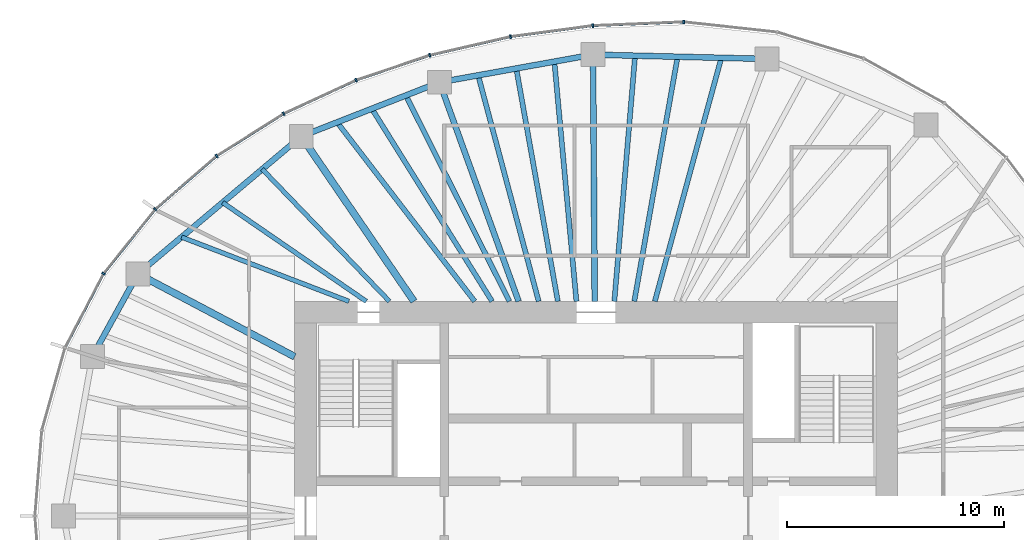
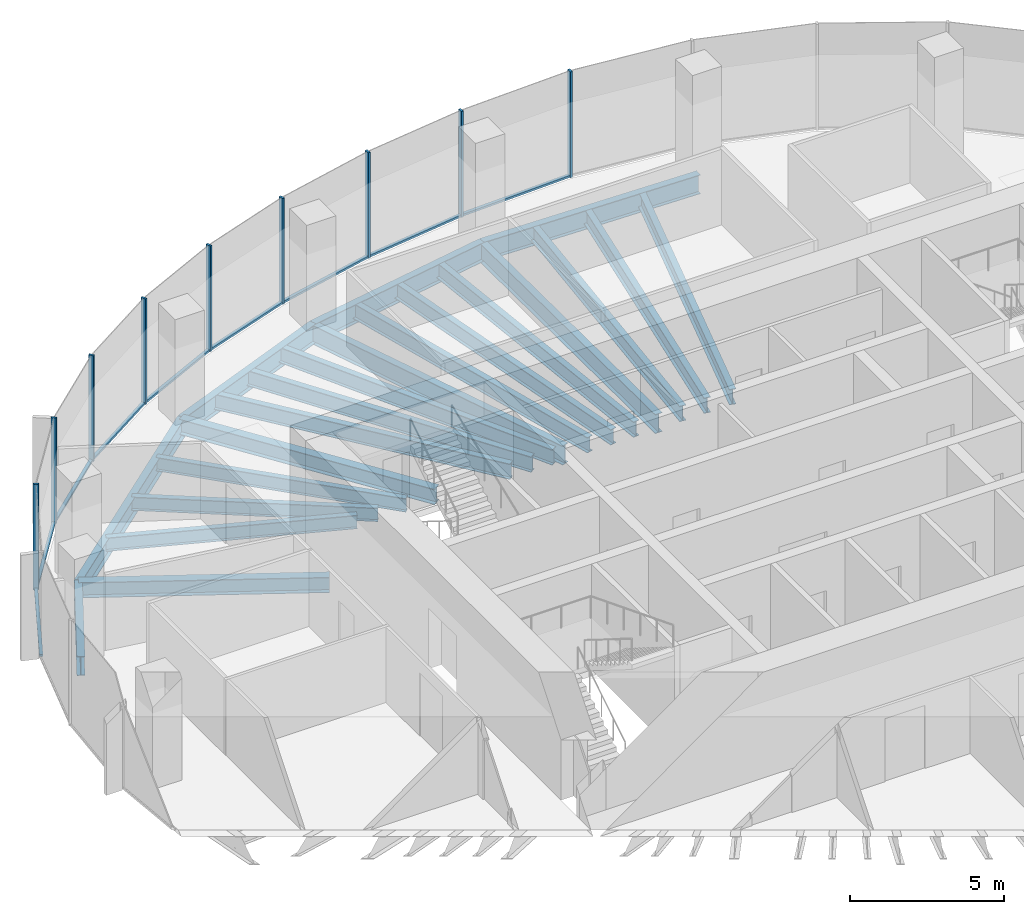
# One storey, part 5 of 11: 21 beams, 18 members, 5 elements without a shape of their own.
"""IFC4 building model written with IfcOpenShell, lengths in metres."""

from ifc_helpers import new_model, si_unit, direction, frame, origin, origin_2d, place, context, subcontext, project, spatial, rectangle, i_section, extrude, material, material_profile, profile_set, type_object, element, aggregate, save


model = new_model("IFC4")

# Units and contexts
model_context = context("Model", 3, precision=1e-05, world=origin(), true_north=direction((0.0, 1.0)))
body_context = subcontext(model_context, "Body", "Model", "MODEL_VIEW")
ifc_project = project(units=[si_unit("LENGTHUNIT", "METRE"), si_unit("AREAUNIT", "SQUARE_METRE"), si_unit("VOLUMEUNIT", "CUBIC_METRE"), si_unit("PLANEANGLEUNIT", "RADIAN"), si_unit("MASSUNIT", "GRAM", prefix="KILO")], contexts=[model_context])

# Site, building, storey
site_placement = place(None, origin())
site = spatial("IfcSite", under=ifc_project, at=site_placement, CompositionType="ELEMENT")
building_placement = place(site_placement, origin())
building = spatial("IfcBuilding", under=site, at=building_placement, Name="Ghaith Harvest Tower", CompositionType="ELEMENT")
storey_placement = place(building_placement, frame((0.0, 0.0, 292.199951171875)))
storey = spatial("IfcBuildingStorey", under=building, at=storey_placement, Name="L65", CompositionType="ELEMENT", Elevation=292.199951171875)

# Curtain wall, member
ifc_material_1 = material(Name="Black anodised aluminium and fritted glass", Category="aluminium")
curtain_wall_type = type_object("IfcCurtainWallType", Name="CW-T CURTAIN WALL", PredefinedType="NOTDEFINED", material=ifc_material_1)
curtain_wall_1_placement = place(storey_placement, origin())
curtain_wall_1 = element("IfcCurtainWall", 1, at=curtain_wall_1_placement, inside=storey, type_object=curtain_wall_type, Name="Curtain wall CW-T bay 05 L65", PredefinedType="NOTDEFINED")
ifc_material_2 = material(Name="Aluminium, black anodised", Category="aluminium")
ifc_material_profile_1 = material_profile(ifc_material_2, rectangle(XDim=0.080078125, YDim=0.179931640625, at=origin_2d()), Name="CW-T MULLION 80x180")
ifc_profile_set_1 = profile_set([ifc_material_profile_1], Name="Aluminium, black anodised")
member_type_1 = type_object("IfcMemberType", Name="CW-T MULLION 80x180", PredefinedType="MULLION", material=ifc_profile_set_1)
member_1_placement = place(storey_placement, frame((4.037841796875, 22.776611328125, 0.0), z_axis=(0.0, 0.0, 1.0), x_axis=(-0.999388631236, 0.034962319079, 0.0)))
member_1 = element("IfcMember", 2, at=member_1_placement, type_object=member_type_1, Name="CW-T mullion 2 bay 05 L65", PredefinedType="MULLION", context=body_context, shape_type="SweptSolid", body=[
    extrude(rectangle(XDim=0.080078125, YDim=0.179931640625, at=origin_2d()), origin(), (0.0, 0.0, 1.0), 4.199951171875),
])

# Curtain wall, members
curtain_wall_2_placement = place(storey_placement, origin())
curtain_wall_2 = element("IfcCurtainWall", 3, at=curtain_wall_2_placement, inside=storey, type_object=curtain_wall_type, Name="Curtain wall CW-T bay 06 L65", PredefinedType="NOTDEFINED")
member_2_placement = place(storey_placement, frame((-0.15478515625, 22.60595703125, 0.0), z_axis=(0.0, 0.0, 1.0), x_axis=(-0.996414855482, -0.084601629853, 0.0)))
member_2 = element("IfcMember", 4, at=member_2_placement, type_object=member_type_1, Name="CW-T mullion 1 bay 06 L65", PredefinedType="MULLION", context=body_context, shape_type="SweptSolid", body=[
    extrude(rectangle(XDim=0.080078125, YDim=0.179931640625, at=origin_2d()), origin(), (0.0, 0.0, 1.0), 4.199951171875),
])
member_3_placement = place(storey_placement, frame((-3.946533203125, 22.0986328125, 0.0), z_axis=(0.0, 0.0, 1.0), x_axis=(-0.983843447681, -0.179030920389, 0.0)))
member_3 = element("IfcMember", 5, at=member_3_placement, type_object=member_type_1, Name="CW-T mullion 2 bay 06 L65", PredefinedType="MULLION", context=body_context, shape_type="SweptSolid", body=[
    extrude(rectangle(XDim=0.080078125, YDim=0.179931640625, at=origin_2d()), origin(), (0.0, 0.0, 1.0), 4.199951171875),
])

curtain_wall_3_placement = place(storey_placement, origin())
curtain_wall_3 = element("IfcCurtainWall", 6, at=curtain_wall_3_placement, inside=storey, type_object=curtain_wall_type, Name="Curtain wall CW-T bay 07 L65", PredefinedType="NOTDEFINED")
member_4_placement = place(storey_placement, frame((-7.6708984375, 21.23828125, 0.0), z_axis=(0.0, 0.0, 1.0), x_axis=(-0.962552491436, -0.27109537294, 0.0)))
member_4 = element("IfcMember", 7, at=member_4_placement, type_object=member_type_1, Name="CW-T mullion 1 bay 07 L65", PredefinedType="MULLION", context=body_context, shape_type="SweptSolid", body=[
    extrude(rectangle(XDim=0.080078125, YDim=0.179931640625, at=origin_2d()), origin(), (0.0, 0.0, 1.0), 4.199951171875),
])
member_5_placement = place(storey_placement, frame((-11.0673828125, 20.093017578125, 0.0), z_axis=(0.0, 0.0, 1.0), x_axis=(-0.928624420706, -0.371021138573, 0.0)))
member_5 = element("IfcMember", 8, at=member_5_placement, type_object=member_type_1, Name="CW-T mullion 2 bay 07 L65", PredefinedType="MULLION", context=body_context, shape_type="SweptSolid", body=[
    extrude(rectangle(XDim=0.080078125, YDim=0.179931640625, at=origin_2d()), origin(), (0.0, 0.0, 1.0), 4.199951171875),
])

curtain_wall_4_placement = place(storey_placement, origin())
curtain_wall_4 = element("IfcCurtainWall", 9, at=curtain_wall_4_placement, inside=storey, type_object=curtain_wall_type, Name="Curtain wall CW-T bay 08 L65", PredefinedType="NOTDEFINED")
member_6_placement = place(storey_placement, frame((-14.40478515625, 18.5478515625, 0.0), z_axis=(0.0, 0.0, 1.0), x_axis=(-0.87867173244, -0.477426420101, 0.0)))
member_6 = element("IfcMember", 10, at=member_6_placement, type_object=member_type_1, Name="CW-T mullion 1 bay 08 L65", PredefinedType="MULLION", context=body_context, shape_type="SweptSolid", body=[
    extrude(rectangle(XDim=0.080078125, YDim=0.179931640625, at=origin_2d()), origin(), (0.0, 0.0, 1.0), 4.199951171875),
])
member_7_placement = place(storey_placement, frame((-17.49462890625, 16.600830078125, 0.0), z_axis=(0.0, 0.0, 1.0), x_axis=(-0.802189888678, -0.597068993084, 0.0)))
member_7 = element("IfcMember", 11, at=member_7_placement, type_object=member_type_1, Name="CW-T mullion 2 bay 08 L65", PredefinedType="MULLION", context=body_context, shape_type="SweptSolid", body=[
    extrude(rectangle(XDim=0.080078125, YDim=0.179931640625, at=origin_2d()), origin(), (0.0, 0.0, 1.0), 4.199951171875),
])

curtain_wall_5_placement = place(storey_placement, origin())
curtain_wall_5 = element("IfcCurtainWall", 12, at=curtain_wall_5_placement, inside=storey, type_object=curtain_wall_type, Name="Curtain wall CW-T bay 09 L65", PredefinedType="NOTDEFINED")
member_8_placement = place(storey_placement, frame((-20.324462890625, 14.141845703125, 0.0), z_axis=(0.0, 0.0, 1.0), x_axis=(-0.692826491995, -0.72110432809, 0.0)))
member_8 = element("IfcMember", 13, at=member_8_placement, type_object=member_type_1, Name="CW-T mullion 1 bay 09 L65", PredefinedType="MULLION", context=body_context, shape_type="SweptSolid", body=[
    extrude(rectangle(XDim=0.080078125, YDim=0.179931640625, at=origin_2d()), origin(), (0.0, 0.0, 1.0), 4.199951171875),
])
member_9_placement = place(storey_placement, frame((-22.706298828125, 11.176513671875, 0.0), z_axis=(0.0, 0.0, 1.0), x_axis=(-0.545865412621, -0.837872872997, 0.0)))
member_9 = element("IfcMember", 14, at=member_9_placement, type_object=member_type_1, Name="CW-T mullion 2 bay 09 L65", PredefinedType="MULLION", context=body_context, shape_type="SweptSolid", body=[
    extrude(rectangle(XDim=0.080078125, YDim=0.179931640625, at=origin_2d()), origin(), (0.0, 0.0, 1.0), 4.199951171875),
])

# Member
ifc_material_3 = material(Name="Aluminium, black anodised", Category="aluminium")
ifc_material_profile_2 = material_profile(ifc_material_3, rectangle(XDim=0.1201171875, YDim=0.080078125, at=origin_2d()), Name="CW-T TRANSOM 120x80")
ifc_profile_set_2 = profile_set([ifc_material_profile_2], Name="Aluminium, black anodised")
member_type_2 = type_object("IfcMemberType", Name="CW-T TRANSOM 120x80", PredefinedType="USERDEFINED", material=ifc_profile_set_2)
member_10_placement = place(storey_placement, frame((3.997802734375, 22.77490234375, 0.0400390625), z_axis=(-0.999174207562, -0.040631304968, 0.0), x_axis=(0.040631304968, -0.999174207562, 0.0)))
member_10 = element("IfcMember", 15, at=member_10_placement, type_object=member_type_2, Name="CW-T transom 2 bay 05 L65", ObjectType="TRANSOM", PredefinedType="USERDEFINED", context=body_context, shape_type="SweptSolid", body=[
    extrude(rectangle(XDim=0.1201171875, YDim=0.080078125, at=origin_2d()), origin(), (0.0, 0.0, 1.0), 4.115966796875),
])

aggregate(curtain_wall_1, [member_1, member_10])

member_11_placement = place(storey_placement, frame((-0.1943359375, 22.6005859375, 0.0400390625), z_axis=(-0.99117202259, -0.132582131655, 0.0), x_axis=(0.132582131655, -0.99117202259, 0.0)))
member_11 = element("IfcMember", 16, at=member_11_placement, type_object=member_type_2, Name="CW-T transom 1 bay 06 L65", ObjectType="TRANSOM", PredefinedType="USERDEFINED", context=body_context, shape_type="SweptSolid", body=[
    extrude(rectangle(XDim=0.1201171875, YDim=0.080078125, at=origin_2d()), origin(), (0.0, 0.0, 1.0), 3.745361328125),
])

member_12_placement = place(storey_placement, frame((-3.9853515625, 22.089599609375, 0.0400390625), z_axis=(-0.974344997799, -0.225059603803, 0.0), x_axis=(0.225059603803, -0.974344997799, 0.0)))
member_12 = element("IfcMember", 17, at=member_12_placement, type_object=member_type_2, Name="CW-T transom 2 bay 06 L65", ObjectType="TRANSOM", PredefinedType="USERDEFINED", context=body_context, shape_type="SweptSolid", body=[
    extrude(rectangle(XDim=0.1201171875, YDim=0.080078125, at=origin_2d()), origin(), (0.0, 0.0, 1.0), 3.742431640625),
])

aggregate(curtain_wall_2, [member_2, member_11, member_3, member_12])

member_13_placement = place(storey_placement, frame((-7.708740234375, 21.2255859375, 0.0400390625), z_axis=(-0.9475698206, -0.319548799228, 0.0), x_axis=(0.319548799228, -0.9475698206, 0.0)))
member_13 = element("IfcMember", 18, at=member_13_placement, type_object=member_type_2, Name="CW-T transom 1 bay 07 L65", ObjectType="TRANSOM", PredefinedType="USERDEFINED", context=body_context, shape_type="SweptSolid", body=[
    extrude(rectangle(XDim=0.1201171875, YDim=0.080078125, at=origin_2d()), origin(), (0.0, 0.0, 1.0), 3.504638671875),
])

member_14_placement = place(storey_placement, frame((-11.103759765625, 20.076171875, 0.0400390625), z_axis=(-0.907472177056, -0.420112184862, 0.0), x_axis=(0.420112184862, -0.907472177056, 0.0)))
member_14 = element("IfcMember", 19, at=member_14_placement, type_object=member_type_2, Name="CW-T transom 2 bay 07 L65", ObjectType="TRANSOM", PredefinedType="USERDEFINED", context=body_context, shape_type="SweptSolid", body=[
    extrude(rectangle(XDim=0.1201171875, YDim=0.080078125, at=origin_2d()), origin(), (0.0, 0.0, 1.0), 3.597900390625),
])

aggregate(curtain_wall_3, [member_4, member_13, member_5, member_14])

member_15_placement = place(storey_placement, frame((-14.438720703125, 18.5263671875, 0.0400390625), z_axis=(-0.846053602505, -0.533097835006, 0.0), x_axis=(0.533097835006, -0.846053602505, 0.0)))
member_15 = element("IfcMember", 20, at=member_15_placement, type_object=member_type_2, Name="CW-T transom 1 bay 08 L65", ObjectType="TRANSOM", PredefinedType="USERDEFINED", context=body_context, shape_type="SweptSolid", body=[
    extrude(rectangle(XDim=0.1201171875, YDim=0.080078125, at=origin_2d()), origin(), (0.0, 0.0, 1.0), 3.572021484375),
])

member_16_placement = place(storey_placement, frame((-17.52490234375, 16.574462890625, 0.0400390625), z_axis=(-0.754851889287, -0.65589528527, 0.0), x_axis=(0.65589528527, -0.754851889287, 0.0)))
member_16 = element("IfcMember", 21, at=member_16_placement, type_object=member_type_2, Name="CW-T transom 2 bay 08 L65", ObjectType="TRANSOM", PredefinedType="USERDEFINED", context=body_context, shape_type="SweptSolid", body=[
    extrude(rectangle(XDim=0.1201171875, YDim=0.080078125, at=origin_2d()), origin(), (0.0, 0.0, 1.0), 3.668701171875),
])

aggregate(curtain_wall_4, [member_6, member_15, member_7, member_16])

member_17_placement = place(storey_placement, frame((-20.349365234375, 14.110595703125, 0.0400390625), z_axis=(-0.626253073761, -0.779619835307, 0.0), x_axis=(0.779619835307, -0.626253073761, 0.0)))
member_17 = element("IfcMember", 22, at=member_17_placement, type_object=member_type_2, Name="CW-T transom 1 bay 09 L65", ObjectType="TRANSOM", PredefinedType="USERDEFINED", context=body_context, shape_type="SweptSolid", body=[
    extrude(rectangle(XDim=0.1201171875, YDim=0.080078125, at=origin_2d()), origin(), (0.0, 0.0, 1.0), 3.723388671875),
])

member_18_placement = place(storey_placement, frame((-22.724609375, 11.14111328125, 0.0400390625), z_axis=(-0.461242681347, -0.887274021317, 0.0), x_axis=(0.887274021317, -0.461242681347, 0.0)))
member_18 = element("IfcMember", 23, at=member_18_placement, type_object=member_type_2, Name="CW-T transom 2 bay 09 L65", ObjectType="TRANSOM", PredefinedType="USERDEFINED", context=body_context, shape_type="SweptSolid", body=[
    extrude(rectangle(XDim=0.1201171875, YDim=0.080078125, at=origin_2d()), origin(), (0.0, 0.0, 1.0), 3.77197265625),
])

aggregate(curtain_wall_5, [member_8, member_17, member_9, member_18])

# Beams
ifc_material_4 = material(Name="Steel ASTM A992 Grade 50", Category="steel")
ifc_material_profile_3 = material_profile(ifc_material_4, i_section(OverallWidth=0.26611328125, OverallDepth=0.758056640625, WebThickness=0.013916015625, FlangeThickness=0.019287109375, at=origin_2d()), Name="W760X161")
ifc_profile_set_3 = profile_set([ifc_material_profile_3], Name="Steel ASTM A992 Grade 50")
beam_type_1 = type_object("IfcBeamType", Name="E760-161 W760X161", PredefinedType="SPANDREL", material=ifc_profile_set_3)
beam_1_placement = place(storey_placement, frame((7.8779296875, 21.072021484375, -0.549072265625), z_axis=(-0.999692679676, 0.024790042413, 0.0), x_axis=(-0.024790042413, -0.999692679676, 0.0)))
element("IfcBeam", 24, at=beam_1_placement, inside=storey, type_object=beam_type_1, Name="Edge beam E05 L65", PredefinedType="SPANDREL", context=body_context, shape_type="SweptSolid", body=[
    extrude(i_section(OverallWidth=0.26611328125, OverallDepth=0.758056640625, WebThickness=0.013916015625, FlangeThickness=0.019287109375, at=origin_2d()), origin(), (0.0, 0.0, 1.0), 8.0263671875),
])
beam_2_placement = place(storey_placement, frame((-0.14599609375, 21.27099609375, -0.549072265625), z_axis=(-0.984177047684, -0.177187863051, 0.0), x_axis=(0.177187863051, -0.984177047684, 0.0)))
element("IfcBeam", 25, at=beam_2_placement, inside=storey, type_object=beam_type_1, Name="Edge beam E06 L65", PredefinedType="SPANDREL", context=body_context, shape_type="SweptSolid", body=[
    extrude(i_section(OverallWidth=0.26611328125, OverallDepth=0.758056640625, WebThickness=0.013916015625, FlangeThickness=0.019287109375, at=origin_2d()), origin(), (0.0, 0.0, 1.0), 7.189697265625),
])
beam_3_placement = place(storey_placement, frame((-7.221923828125, 19.9970703125, -0.549072265625), z_axis=(-0.931322768207, -0.364194867371, 0.0), x_axis=(0.364194867371, -0.931322768207, 0.0)))
element("IfcBeam", 26, at=beam_3_placement, inside=storey, type_object=beam_type_1, Name="Edge beam E07 L65", PredefinedType="SPANDREL", context=body_context, shape_type="SweptSolid", body=[
    extrude(i_section(OverallWidth=0.26611328125, OverallDepth=0.758056640625, WebThickness=0.013916015625, FlangeThickness=0.019287109375, at=origin_2d()), origin(), (0.0, 0.0, 1.0), 6.843017578125),
])
beam_4_placement = place(storey_placement, frame((-13.594970703125, 17.5048828125, -0.549072265625), z_axis=(-0.765021818761, -0.64400436087, 0.0), x_axis=(0.64400436087, -0.765021818761, 0.0)))
element("IfcBeam", 27, at=beam_4_placement, inside=storey, type_object=beam_type_1, Name="Edge beam E08 L65", PredefinedType="SPANDREL", context=body_context, shape_type="SweptSolid", body=[
    extrude(i_section(OverallWidth=0.26611328125, OverallDepth=0.758056640625, WebThickness=0.013916015625, FlangeThickness=0.019287109375, at=origin_2d()), origin(), (0.0, 0.0, 1.0), 9.8427734375),
])
beam_5_placement = place(storey_placement, frame((-21.125, 11.166015625, -0.549072265625), z_axis=(-0.482955575345, -0.875644855089, 0.0), x_axis=(0.875644855089, -0.482955575345, 0.0)))
element("IfcBeam", 28, at=beam_5_placement, inside=storey, type_object=beam_type_1, Name="Edge beam E09 L65", PredefinedType="SPANDREL", context=body_context, shape_type="SweptSolid", body=[
    extrude(i_section(OverallWidth=0.26611328125, OverallDepth=0.758056640625, WebThickness=0.013916015625, FlangeThickness=0.019287109375, at=origin_2d()), origin(), (0.0, 0.0, 1.0), 4.346435546875),
])
ifc_material_5 = material(Name="Steel ASTM A992 Grade 50", Category="steel")
ifc_material_profile_4 = material_profile(ifc_material_5, i_section(OverallWidth=0.323974609375, OverallDepth=0.611083984375, WebThickness=0.0126953125, FlangeThickness=0.01904296875, at=origin_2d()), Name="W610X155")
ifc_profile_set_4 = profile_set([ifc_material_profile_4], Name="Steel ASTM A992 Grade 50")
beam_type_2 = type_object("IfcBeamType", Name="G610-155 W610X155", PredefinedType="BEAM", material=ifc_profile_set_4)
beam_6_placement = place(storey_placement, frame((-8.39990234375, 9.89990234375, -0.475341796875), z_axis=(-0.564067018201, 0.825729010619, 0.0), x_axis=(-0.825729010619, -0.564067018201, 0.0)))
element("IfcBeam", 29, at=beam_6_placement, inside=storey, type_object=beam_type_2, Name="Radial girder G08 L65", PredefinedType="BEAM", context=body_context, shape_type="SweptSolid", body=[
    extrude(i_section(OverallWidth=0.323974609375, OverallDepth=0.611083984375, WebThickness=0.0126953125, FlangeThickness=0.01904296875, at=origin_2d()), origin(), (0.0, 0.0, 1.0), 9.2099609375),
])
beam_7_placement = place(storey_placement, frame((-13.89990234375, 7.34716796875, -0.475341796875), z_axis=(-0.88410164037, 0.467294649546, 0.0), x_axis=(-0.467294649546, -0.88410164037, 0.0)))
element("IfcBeam", 30, at=beam_7_placement, inside=storey, type_object=beam_type_2, Name="Radial girder G09 L65", PredefinedType="BEAM", context=body_context, shape_type="SweptSolid", body=[
    extrude(i_section(OverallWidth=0.323974609375, OverallDepth=0.611083984375, WebThickness=0.0126953125, FlangeThickness=0.01904296875, at=origin_2d()), origin(), (0.0, 0.0, 1.0), 8.17236328125),
])
ifc_material_6 = material(Name="Steel ASTM A992 Grade 50", Category="steel")
ifc_material_profile_5 = material_profile(ifc_material_6, i_section(OverallWidth=0.26611328125, OverallDepth=0.758056640625, WebThickness=0.013916015625, FlangeThickness=0.019287109375, at=origin_2d()), Name="W760X161")
ifc_profile_set_5 = profile_set([ifc_material_profile_5], Name="Steel ASTM A992 Grade 50")
beam_type_3 = type_object("IfcBeamType", Name="G760-161 W760X161", PredefinedType="BEAM", material=ifc_profile_set_5)
beam_8_placement = place(storey_placement, frame((-0.06787109375, 9.89990234375, -0.549072265625), z_axis=(-0.00687032909, 0.999976399011, 0.0), x_axis=(-0.999976399011, -0.00687032909, 0.0)))
element("IfcBeam", 31, at=beam_8_placement, inside=storey, type_object=beam_type_3, Name="Radial girder G06 L65", PredefinedType="BEAM", context=body_context, shape_type="SweptSolid", body=[
    extrude(i_section(OverallWidth=0.26611328125, OverallDepth=0.758056640625, WebThickness=0.013916015625, FlangeThickness=0.019287109375, at=origin_2d()), origin(), (0.0, 0.0, 1.0), 11.371337890625),
])
beam_9_placement = place(storey_placement, frame((-3.57568359375, 9.89990234375, -0.549072265625), z_axis=(-0.339647816823, 0.940552688863, 0.0), x_axis=(-0.940552688863, -0.339647816823, 0.0)))
element("IfcBeam", 32, at=beam_9_placement, inside=storey, type_object=beam_type_3, Name="Radial girder G07 L65", PredefinedType="BEAM", context=body_context, shape_type="SweptSolid", body=[
    extrude(i_section(OverallWidth=0.26611328125, OverallDepth=0.758056640625, WebThickness=0.013916015625, FlangeThickness=0.019287109375, at=origin_2d()), origin(), (0.0, 0.0, 1.0), 10.7353515625),
])
ifc_material_7 = material(Name="Steel ASTM A992 Grade 50", Category="steel")
ifc_material_profile_6 = material_profile(ifc_material_7, i_section(OverallWidth=0.2109375, OverallDepth=0.5390625, WebThickness=0.01171875, FlangeThickness=0.018798828125, at=origin_2d()), Name="W530X109")
ifc_profile_set_6 = profile_set([ifc_material_profile_6], Name="Steel ASTM A992 Grade 50")
beam_type_4 = type_object("IfcBeamType", Name="J530-109 W530X109", PredefinedType="JOIST", material=ifc_profile_set_6)
beam_10_placement = place(storey_placement, frame((-9.530517578125, 9.89990234375, -0.439453125), z_axis=(-0.693536238632, 0.720421741554, 0.0), x_axis=(-0.720421741554, -0.693536238632, 0.0)))
element("IfcBeam", 33, at=beam_10_placement, inside=storey, type_object=beam_type_4, Name="Joist J08.1 L65", PredefinedType="JOIST", context=body_context, shape_type="SweptSolid", body=[
    extrude(i_section(OverallWidth=0.2109375, OverallDepth=0.5390625, WebThickness=0.01171875, FlangeThickness=0.018798828125, at=origin_2d()), origin(), (0.0, 0.0, 1.0), 8.4541015625),
])
beam_11_placement = place(storey_placement, frame((-10.60009765625, 9.89990234375, -0.439453125), z_axis=(-0.823778502511, 0.566911791023, 0.0), x_axis=(-0.566911791023, -0.823778502511, 0.0)))
element("IfcBeam", 34, at=beam_11_placement, inside=storey, type_object=beam_type_4, Name="Joist J08.2 L65", PredefinedType="JOIST", context=body_context, shape_type="SweptSolid", body=[
    extrude(i_section(OverallWidth=0.2109375, OverallDepth=0.5390625, WebThickness=0.01171875, FlangeThickness=0.018798828125, at=origin_2d()), origin(), (0.0, 0.0, 1.0), 8.0341796875),
])
beam_12_placement = place(storey_placement, frame((-11.39990234375, 9.89990234375, -0.439453125), z_axis=(-0.933583045329, 0.358361127181, 0.0), x_axis=(-0.358361127181, -0.933583045329, 0.0)))
element("IfcBeam", 35, at=beam_12_placement, inside=storey, type_object=beam_type_4, Name="Joist J08.3 L65", PredefinedType="JOIST", context=body_context, shape_type="SweptSolid", body=[
    extrude(i_section(OverallWidth=0.2109375, OverallDepth=0.5390625, WebThickness=0.01171875, FlangeThickness=0.018798828125, at=origin_2d()), origin(), (0.0, 0.0, 1.0), 8.260986328125),
])
ifc_material_8 = material(Name="Steel ASTM A992 Grade 50", Category="steel")
ifc_material_profile_7 = material_profile(ifc_material_8, i_section(OverallWidth=0.22998046875, OverallDepth=0.616943359375, WebThickness=0.01318359375, FlangeThickness=0.022216796875, at=origin_2d()), Name="W610X140")
ifc_profile_set_7 = profile_set([ifc_material_profile_7], Name="Steel ASTM A992 Grade 50")
beam_type_5 = type_object("IfcBeamType", Name="J610-140 W610X140", PredefinedType="JOIST", material=ifc_profile_set_7)
beam_13_placement = place(storey_placement, frame((2.70361328125, 9.89990234375, -0.478515625), z_axis=(0.263456499314, 0.964671277156, 0.0), x_axis=(-0.964671277156, 0.263456499314, 0.0)))
element("IfcBeam", 36, at=beam_13_placement, inside=storey, type_object=beam_type_5, Name="Joist J05.1 L65", PredefinedType="JOIST", context=body_context, shape_type="SweptSolid", body=[
    extrude(i_section(OverallWidth=0.22998046875, OverallDepth=0.616943359375, WebThickness=0.01318359375, FlangeThickness=0.022216796875, at=origin_2d()), origin(), (0.0, 0.0, 1.0), 11.635498046875),
])
beam_14_placement = place(storey_placement, frame((1.7548828125, 9.89990234375, -0.478515625), z_axis=(0.174562528022, 0.984646090639, 0.0), x_axis=(-0.984646090639, 0.174562528022, 0.0)))
element("IfcBeam", 37, at=beam_14_placement, inside=storey, type_object=beam_type_5, Name="Joist J05.2 L65", PredefinedType="JOIST", context=body_context, shape_type="SweptSolid", body=[
    extrude(i_section(OverallWidth=0.22998046875, OverallDepth=0.616943359375, WebThickness=0.01318359375, FlangeThickness=0.022216796875, at=origin_2d()), origin(), (0.0, 0.0, 1.0), 11.4501953125),
])
beam_15_placement = place(storey_placement, frame((0.836669921875, 9.89990234375, -0.478515625), z_axis=(0.084199386432, 0.996448926601, 0.0), x_axis=(-0.996448926601, 0.084199386432, 0.0)))
element("IfcBeam", 38, at=beam_15_placement, inside=storey, type_object=beam_type_5, Name="Joist J05.3 L65", PredefinedType="JOIST", context=body_context, shape_type="SweptSolid", body=[
    extrude(i_section(OverallWidth=0.22998046875, OverallDepth=0.616943359375, WebThickness=0.01318359375, FlangeThickness=0.022216796875, at=origin_2d()), origin(), (0.0, 0.0, 1.0), 11.36328125),
])
beam_16_placement = place(storey_placement, frame((-0.9111328125, 9.89990234375, -0.478515625), z_axis=(-0.091654473201, 0.995790870385, 0.0), x_axis=(-0.995790870385, -0.091654473201, 0.0)))
element("IfcBeam", 39, at=beam_16_placement, inside=storey, type_object=beam_type_5, Name="Joist J06.1 L65", PredefinedType="JOIST", context=body_context, shape_type="SweptSolid", body=[
    extrude(i_section(OverallWidth=0.22998046875, OverallDepth=0.616943359375, WebThickness=0.01318359375, FlangeThickness=0.022216796875, at=origin_2d()), origin(), (0.0, 0.0, 1.0), 11.096923828125),
])
beam_17_placement = place(storey_placement, frame((-1.76806640625, 9.89990234375, -0.478515625), z_axis=(-0.175789088574, 0.984427852277, 0.0), x_axis=(-0.984427852277, -0.175789088574, 0.0)))
element("IfcBeam", 40, at=beam_17_placement, inside=storey, type_object=beam_type_5, Name="Joist J06.2 L65", PredefinedType="JOIST", context=body_context, shape_type="SweptSolid", body=[
    extrude(i_section(OverallWidth=0.22998046875, OverallDepth=0.616943359375, WebThickness=0.01318359375, FlangeThickness=0.022216796875, at=origin_2d()), origin(), (0.0, 0.0, 1.0), 10.903564453125),
])
beam_18_placement = place(storey_placement, frame((-2.651123046875, 9.89990234375, -0.478515625), z_axis=(-0.258678376387, 0.96596350738, 0.0), x_axis=(-0.96596350738, -0.258678376387, 0.0)))
element("IfcBeam", 41, at=beam_18_placement, inside=storey, type_object=beam_type_5, Name="Joist J06.3 L65", PredefinedType="JOIST", context=body_context, shape_type="SweptSolid", body=[
    extrude(i_section(OverallWidth=0.22998046875, OverallDepth=0.616943359375, WebThickness=0.01318359375, FlangeThickness=0.022216796875, at=origin_2d()), origin(), (0.0, 0.0, 1.0), 10.784912109375),
])
beam_19_placement = place(storey_placement, frame((-4.0, 9.89990234375, -0.478515625), z_axis=(-0.449556131123, 0.893252083664, 0.0), x_axis=(-0.893252083664, -0.449556131123, 0.0)))
element("IfcBeam", 42, at=beam_19_placement, inside=storey, type_object=beam_type_5, Name="Joist J07.1 L65", PredefinedType="JOIST", context=body_context, shape_type="SweptSolid", body=[
    extrude(i_section(OverallWidth=0.22998046875, OverallDepth=0.616943359375, WebThickness=0.01318359375, FlangeThickness=0.022216796875, at=origin_2d()), origin(), (0.0, 0.0, 1.0), 10.62353515625),
])
beam_20_placement = place(storey_placement, frame((-4.800048828125, 9.89990234375, -0.478515625), z_axis=(-0.529596254905, 0.848249849273, 0.0), x_axis=(-0.848249849273, -0.529596254905, 0.0)))
element("IfcBeam", 43, at=beam_20_placement, inside=storey, type_object=beam_type_5, Name="Joist J07.2 L65", PredefinedType="JOIST", context=body_context, shape_type="SweptSolid", body=[
    extrude(i_section(OverallWidth=0.22998046875, OverallDepth=0.616943359375, WebThickness=0.01318359375, FlangeThickness=0.022216796875, at=origin_2d()), origin(), (0.0, 0.0, 1.0), 10.465087890625),
])
beam_21_placement = place(storey_placement, frame((-5.60009765625, 9.89990234375, -0.478515625), z_axis=(-0.609353577926, 0.792898617144, 0.0), x_axis=(-0.792898617144, -0.609353577926, 0.0)))
element("IfcBeam", 44, at=beam_21_placement, inside=storey, type_object=beam_type_5, Name="Joist J07.3 L65", PredefinedType="JOIST", context=body_context, shape_type="SweptSolid", body=[
    extrude(i_section(OverallWidth=0.22998046875, OverallDepth=0.616943359375, WebThickness=0.01318359375, FlangeThickness=0.022216796875, at=origin_2d()), origin(), (0.0, 0.0, 1.0), 10.406982421875),
])

save(model, "model.ifc")
